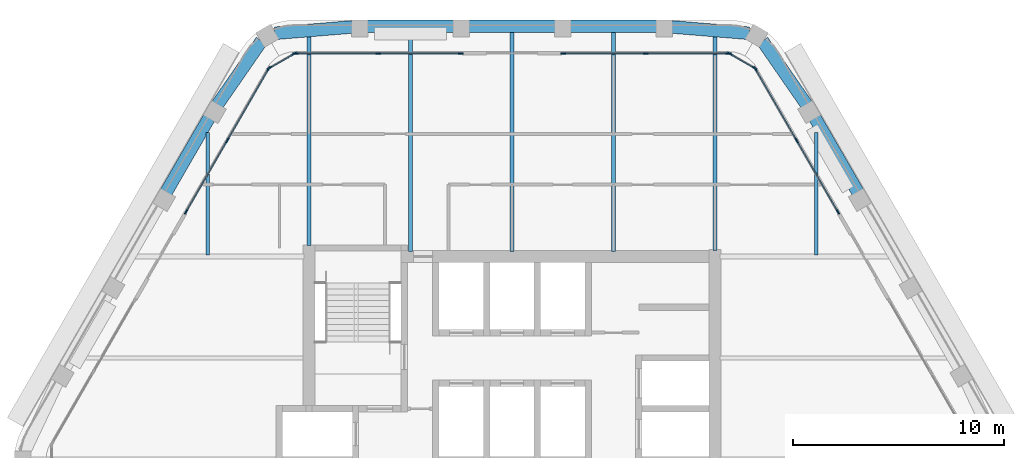
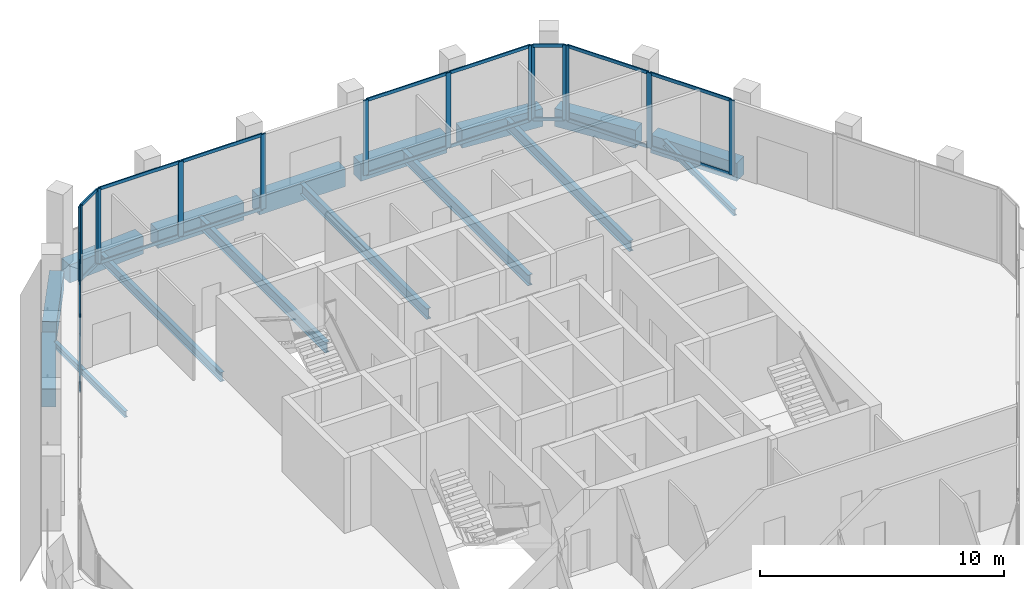
# One storey, part 5 of 13: 36 members, 16 beams, 6 elements without a shape of their own.
"""IFC4 building model written with IfcOpenShell, lengths in metres."""

import ifcopenshell
import ifcopenshell.guid

model = None  # the IFC model being written
_history = None  # IfcOwnerHistory: only IFC2X3 demands one
_inside = {}  # id of a spatial element -> (the spatial element, [elements in it])
_under = {}  # id of a project, library or spatial element -> (it, [spatial elements below it])
_declared = {}  # id of a project -> (the project, [libraries it declares])
_typed = {}  # id of a type object -> (the type object, [elements of that type])
_made_of = {}  # id of a material, layer set ... -> (it, [elements and type objects made of it])


def new_model(schema):
    """Start an empty IFC model of exactly this schema.

    Asked for "IFC4X3", IfcOpenShell would pick the latest addendum, in which some entities
    have other attributes; the version numbers below select the first issue.
    IFC2X3 requires an IfcOwnerHistory on every rooted entity: one is made here for all.
    """
    global model, _history
    if schema == "IFC4X3":
        model = ifcopenshell.file(schema_version=(4, 3, 0, 0))
    else:
        model = ifcopenshell.file(schema=schema)
    _inside.clear()
    _under.clear()
    _declared.clear()
    _typed.clear()
    _made_of.clear()
    _history = None
    if model.schema == "IFC2X3":
        org = make("IfcOrganization", Name="unknown")
        user = make(
            "IfcPersonAndOrganization",
            ThePerson=make("IfcPerson", FamilyName="unknown"),
            TheOrganization=org,
        )
        app = make(
            "IfcApplication",
            ApplicationDeveloper=org,
            Version="unknown",
            ApplicationFullName="unknown",
            ApplicationIdentifier="unknown",
        )
        _history = make(
            "IfcOwnerHistory",
            OwningUser=user,
            OwningApplication=app,
            ChangeAction="ADDED",
            CreationDate=0,
        )
    return model


def make(cls, **values):
    """One entity of the class cls with the attributes given. An attribute that is None is left unset."""
    return model.create_entity(
        cls, **{name: value for name, value in values.items() if value is not None}
    )


def rooted(cls, **values):
    """An entity with a GlobalId (a new one), such as an element, a storey or a relation."""
    return make(cls, GlobalId=ifcopenshell.guid.new(), OwnerHistory=_history, **values)


def si_unit(unit_type, name, prefix=None):
    """IfcSIUnit, for example si_unit("LENGTHUNIT", "METRE", prefix="MILLI")."""
    return make("IfcSIUnit", UnitType=unit_type, Prefix=prefix, Name=name)


def assignment(units):
    """IfcUnitAssignment: the units of a project."""
    return None if units is None else make("IfcUnitAssignment", Units=units)


def point(xyz):
    """IfcCartesianPoint."""
    return None if xyz is None else make("IfcCartesianPoint", Coordinates=xyz)


def direction(xyz):
    """IfcDirection."""
    return None if xyz is None else make("IfcDirection", DirectionRatios=xyz)


def frame(location, z_axis=None, x_axis=None):
    """IfcAxis2Placement3D, a coordinate frame: its origin and axes. An axis left out is left unset."""
    return make(
        "IfcAxis2Placement3D",
        Location=point(location),
        Axis=direction(z_axis),
        RefDirection=direction(x_axis),
    )


def frame_2d(location, x_axis=None):
    """IfcAxis2Placement2D, a coordinate frame in the plane: its origin and x axis."""
    return make(
        "IfcAxis2Placement2D", Location=point(location), RefDirection=direction(x_axis)
    )


def origin():
    """The frame at (0, 0, 0) with its axes left unset."""
    return frame((0.0, 0.0, 0.0))


def origin_2d():
    """The frame at (0, 0) in the plane with its x axis left unset."""
    return frame_2d((0.0, 0.0))


def place(relative_to, where):
    """IfcLocalPlacement: puts the frame where relative to a parent placement (None: the world)."""
    return make(
        "IfcLocalPlacement", PlacementRelTo=relative_to, RelativePlacement=where
    )


def context(
    kind, dimensions, precision=None, world=None, true_north=None, identifier=None
):
    """IfcGeometricRepresentationContext, for example the 3D "Model" context."""
    return make(
        "IfcGeometricRepresentationContext",
        ContextIdentifier=identifier,
        ContextType=kind,
        CoordinateSpaceDimension=dimensions,
        Precision=precision,
        WorldCoordinateSystem=world,
        TrueNorth=true_north,
    )


def subcontext(parent, identifier, kind, view, scale=None):
    """IfcGeometricRepresentationSubContext, for example "Body" below "Model"."""
    return make(
        "IfcGeometricRepresentationSubContext",
        ContextIdentifier=identifier,
        ContextType=kind,
        ParentContext=parent,
        TargetScale=scale,
        TargetView=view,
    )


def project(units=None, contexts=None):
    """IfcProject with its units and contexts."""
    return rooted(
        "IfcProject",
        Name="project",
        RepresentationContexts=contexts,
        UnitsInContext=assignment(units),
    )


def spatial(cls, under=None, at=None, **own):
    """A site, building, storey or space (cls), placed at a placement, below another one or the project."""
    s = rooted(cls, ObjectPlacement=at, **own)
    if under is not None:
        _under.setdefault(under.id(), (under, []))[1].append(s)
    return s


def profile(cls, at=None, kind="AREA", **sizes):
    """A parametric profile (cls). Its sizes go by their IFC names, for example OverallWidth=200.0."""
    return make(cls, ProfileType=kind, Position=at, **sizes)


def rectangle(**sizes):
    """IfcRectangleProfileDef."""
    return profile("IfcRectangleProfileDef", **sizes)


def i_section(**sizes):
    """IfcIShapeProfileDef."""
    return profile("IfcIShapeProfileDef", **sizes)


def extrude(swept, where, along, depth):
    """IfcExtrudedAreaSolid: the profile swept, set in the frame where, extruded along a direction by depth."""
    return make(
        "IfcExtrudedAreaSolid",
        SweptArea=swept,
        Position=where,
        ExtrudedDirection=direction(along),
        Depth=depth,
    )


def shape(context_of_items, identifier, shape_type, items):
    """IfcShapeRepresentation: the items that make up one representation, for example the "Body"."""
    return make(
        "IfcShapeRepresentation",
        ContextOfItems=context_of_items,
        RepresentationIdentifier=identifier,
        RepresentationType=shape_type,
        Items=items,
    )


def material(Name=None, Category=None):
    """IfcMaterial."""
    return make("IfcMaterial", Name=Name, Category=Category)


def material_profile(
    of_material, cross_section, Name=None, Category=None, Priority=None
):
    """IfcMaterialProfile: a cross section and its material."""
    return make(
        "IfcMaterialProfile",
        Name=Name,
        Material=of_material,
        Profile=cross_section,
        Priority=Priority,
        Category=Category,
    )


def profile_set(profiles, Name=None, composite=None):
    """IfcMaterialProfileSet."""
    return make(
        "IfcMaterialProfileSet",
        Name=Name,
        MaterialProfiles=profiles,
        CompositeProfile=composite,
    )


def made_of(thing, what):
    """Note that an element or type object is made of a material, layer set ...; save() writes the relation."""
    if what is not None:
        _made_of.setdefault(what.id(), (what, []))[1].append(thing)
    return thing


def type_object(cls, material=None, **own):
    """A type object (cls), such as IfcWallType, which elements share."""
    return made_of(rooted(cls, **own), material)


def element(
    cls,
    number,
    at=None,
    inside=None,
    cuts=None,
    type_object=None,
    material=None,
    context=None,
    identifier="Body",
    shape_type=None,
    held_by="IfcProductDefinitionShape",
    body=None,
    shapes=None,
    **own,
):
    """One element of the class cls, such as IfcWall. Its Tag is "e" and its number.

    at: its placement. inside: the storey or other place that contains it. cuts: it is an
    opening in that element (IfcRelVoidsElement). A single representation is given by context,
    identifier, shape_type and body (its items); several are given by shapes. held_by: the class
    of the entity that holds the representations. save() writes the other relations.
    """
    e = rooted(cls, Tag="e%d" % number, ObjectPlacement=at, **own)
    if body is not None:
        shapes = [shape(context, identifier, shape_type, body)]
    if shapes is not None:
        e.Representation = make(held_by, Representations=shapes)
    if inside is not None:
        _inside.setdefault(inside.id(), (inside, []))[1].append(e)
    if cuts is not None:
        rooted(
            "IfcRelVoidsElement", RelatingBuildingElement=cuts, RelatedOpeningElement=e
        )
    if type_object is not None:
        _typed.setdefault(type_object.id(), (type_object, []))[1].append(e)
    return made_of(e, material)


def aggregate(whole, parts):
    """IfcRelAggregates: a whole, such as a stair, and the parts it consists of."""
    return rooted("IfcRelAggregates", RelatingObject=whole, RelatedObjects=parts)


def save(model, path):
    """Write the relations noted so far, then the file.

    IfcRelAggregates (storeys below a building ...), IfcRelContainedInSpatialStructure (elements
    in a storey), IfcRelDefinesByType, IfcRelAssociatesMaterial and IfcRelDeclares: one each for
    every whole, place, type object, material and project.
    """
    for whole, parts in _under.values():
        aggregate(whole, parts)
    for where, things in _inside.values():
        rooted(
            "IfcRelContainedInSpatialStructure",
            RelatedElements=things,
            RelatingStructure=where,
        )
    for kind, things in _typed.values():
        rooted("IfcRelDefinesByType", RelatedObjects=things, RelatingType=kind)
    for what, things in _made_of.values():
        rooted("IfcRelAssociatesMaterial", RelatedObjects=things, RelatingMaterial=what)
    for by, libraries in _declared.values():
        rooted("IfcRelDeclares", RelatingContext=by, RelatedDefinitions=libraries)
    model.write(path)


model = new_model("IFC4")

# Units and contexts
model_context = context("Model", 3, precision=1e-05, world=origin(), true_north=direction((0.0, 1.0)))
body_context = subcontext(model_context, "Body", "Model", "MODEL_VIEW")
ifc_project = project(units=[si_unit("LENGTHUNIT", "METRE"), si_unit("AREAUNIT", "SQUARE_METRE"), si_unit("VOLUMEUNIT", "CUBIC_METRE"), si_unit("PLANEANGLEUNIT", "RADIAN"), si_unit("MASSUNIT", "GRAM", prefix="KILO")], contexts=[model_context])

# Site, building, storey
site_placement = place(None, origin())
site = spatial("IfcSite", under=ifc_project, at=site_placement, CompositionType="ELEMENT")
building_placement = place(site_placement, origin())
building = spatial("IfcBuilding", under=site, at=building_placement, Name="Kolab Exchange Tower", CompositionType="ELEMENT")
storey_placement = place(building_placement, frame((0.0, 0.0, 289.10009765625)))
storey = spatial("IfcBuildingStorey", under=building, at=storey_placement, Name="L65", CompositionType="ELEMENT", Elevation=289.10009765625)

# Beams
ifc_material_1 = material(Name="Steel S355", Category="steel")
ifc_material_profile_1 = material_profile(ifc_material_1, i_section(OverallWidth=0.1650390625, OverallDepth=0.31005859375, WebThickness=0.005859375, FlangeThickness=0.009765625, at=origin_2d()), Name="W310X39")
ifc_profile_set_1 = profile_set([ifc_material_profile_1], Name="Steel S355")
beam_type_1 = type_object("IfcBeamType", Name="FLOOR BEAM W310X39", PredefinedType="BEAM", material=ifc_profile_set_1)
for number, where, z_axis, x_axis, name in (
    (1, (-14.39990234375, 9.674072265625, -0.30517578125), (0.0, 1.0, 0.0), (-1.0, 0.0, 0.0), "beam/L65/fr/004"),
    (2, (14.39990234375, 9.674072265625, -0.30517578125), (0.0, 1.0, 0.0), (-1.0, 0.0, 0.0), "beam/L65/fr/019"),
):
    element("IfcBeam", number, at=place(storey_placement, frame(where, z_axis=z_axis, x_axis=x_axis)), inside=storey, type_object=beam_type_1, Name=name, PredefinedType="BEAM", context=body_context, shape_type="SweptSolid", body=[
        extrude(i_section(OverallWidth=0.1650390625, OverallDepth=0.31005859375, WebThickness=0.005859375, FlangeThickness=0.009765625, at=origin_2d()), origin(), (0.0, 0.0, 1.0), 5.793701171875),
    ])
ifc_material_profile_2 = material_profile(ifc_material_1, i_section(OverallWidth=0.18994140625, OverallDepth=0.45703125, WebThickness=0.009033203125, FlangeThickness=0.014404296875, at=origin_2d()), Name="W460X74")
ifc_profile_set_2 = profile_set([ifc_material_profile_2], Name="Steel S355")
beam_type_2 = type_object("IfcBeamType", Name="FLOOR BEAM W460X74", PredefinedType="BEAM", material=ifc_profile_set_2)
beam_1_placement = place(storey_placement, frame((-9.60009765625, 10.110107421875, -0.378662109375), z_axis=(0.0, 1.0, 0.0), x_axis=(-1.0, 0.0, 0.0)))
element("IfcBeam", 3, at=beam_1_placement, inside=storey, type_object=beam_type_2, Name="beam/L65/fr/006", PredefinedType="BEAM", context=body_context, shape_type="SweptSolid", body=[
    extrude(i_section(OverallWidth=0.18994140625, OverallDepth=0.45703125, WebThickness=0.009033203125, FlangeThickness=0.014404296875, at=origin_2d()), origin(), (0.0, 0.0, 1.0), 9.9169921875),
])
ifc_material_profile_3 = material_profile(ifc_material_1, i_section(OverallWidth=0.208984375, OverallDepth=0.532958984375, WebThickness=0.01025390625, FlangeThickness=0.015625, at=origin_2d()), Name="W530X92")
ifc_profile_set_3 = profile_set([ifc_material_profile_3], Name="Steel S355")
beam_type_3 = type_object("IfcBeamType", Name="FLOOR BEAM W530X92", PredefinedType="BEAM", material=ifc_profile_set_3)
for number, where, z_axis, x_axis, name in (
    (4, (-4.800048828125, 9.8349609375, -0.41650390625), (0.0, 1.0, 0.0), (-1.0, 0.0, 0.0), "beam/L65/fr/008"),
    (5, (0.0, 9.8349609375, -0.41650390625), (0.0, 1.0, 0.0), (-1.0, 0.0, 0.0), "beam/L65/fr/010"),
    (6, (4.800048828125, 9.8349609375, -0.41650390625), (0.0, 1.0, 0.0), (-1.0, 0.0, 0.0), "beam/L65/fr/012"),
):
    element("IfcBeam", number, at=place(storey_placement, frame(where, z_axis=z_axis, x_axis=x_axis)), inside=storey, type_object=beam_type_3, Name=name, PredefinedType="BEAM", context=body_context, shape_type="SweptSolid", body=[
        extrude(i_section(OverallWidth=0.208984375, OverallDepth=0.532958984375, WebThickness=0.01025390625, FlangeThickness=0.015625, at=origin_2d()), origin(), (0.0, 0.0, 1.0), 10.3896484375),
    ])
beam_2_placement = place(storey_placement, frame((9.60009765625, 9.885009765625, -0.41650390625), z_axis=(0.0, 1.0, 0.0), x_axis=(-1.0, 0.0, 0.0)))
element("IfcBeam", 7, at=beam_2_placement, inside=storey, type_object=beam_type_3, Name="beam/L65/fr/014", PredefinedType="BEAM", context=body_context, shape_type="SweptSolid", body=[
    extrude(i_section(OverallWidth=0.208984375, OverallDepth=0.532958984375, WebThickness=0.01025390625, FlangeThickness=0.015625, at=origin_2d()), origin(), (0.0, 0.0, 1.0), 10.14208984375),
])
ifc_material_2 = material(Name="Concrete C50/60", Category="concrete")
ifc_material_profile_4 = material_profile(ifc_material_2, rectangle(XDim=0.60009765625, YDim=0.89990234375, at=origin_2d()), Name="RC600X900")
ifc_profile_set_4 = profile_set([ifc_material_profile_4], Name="Concrete C50/60")
beam_type_4 = type_object("IfcBeamType", Name="SPANDREL BEAM 600X900 C50/60", PredefinedType="BEAM", material=ifc_profile_set_4)
beam_3_placement = place(storey_placement, frame((-11.216796875, 20.15576171875, -0.60009765625), z_axis=(0.996666751878, 0.081580547323, 0.0), x_axis=(-0.081580547323, 0.996666751878, 0.0)))
element("IfcBeam", 8, at=beam_3_placement, inside=storey, type_object=beam_type_4, Name="beam/L65/sp/F1-01", PredefinedType="BEAM", context=body_context, shape_type="SweptSolid", body=[
    extrude(rectangle(XDim=0.60009765625, YDim=0.89990234375, at=origin_2d()), origin(), (0.0, 0.0, 1.0), 3.6689453125),
])
for number, where, z_axis, x_axis, name in (
    (9, (-6.840087890625, 20.484619140625, -0.60009765625), (1.0, 0.0, 0.0), (0.0, 1.0, 0.0), "beam/L65/sp/F1-02"),
    (10, (-2.0400390625, 20.484619140625, -0.60009765625), (1.0, 0.0, 0.0), (0.0, 1.0, 0.0), "beam/L65/sp/F1-03"),
    (11, (2.760009765625, 20.484619140625, -0.60009765625), (1.0, 0.0, 0.0), (0.0, 1.0, 0.0), "beam/L65/sp/F1-04"),
):
    element("IfcBeam", number, at=place(storey_placement, frame(where, z_axis=z_axis, x_axis=x_axis)), inside=storey, type_object=beam_type_4, Name=name, PredefinedType="BEAM", context=body_context, shape_type="SweptSolid", body=[
        extrude(rectangle(XDim=0.60009765625, YDim=0.89990234375, at=origin_2d()), origin(), (0.0, 0.0, 1.0), 4.080078125),
    ])
for number, where, z_axis, x_axis, name in (
    (12, (7.56005859375, 20.455078125, -0.60009765625), (0.996666751878, -0.081580547323, 0.0), (0.081580547323, 0.996666751878, 0.0), "beam/L65/sp/F1-05"),
    (13, (11.846923828125, 19.7919921875, -0.60009765625), (0.569005808573, -0.822333502789, 0.0), (0.822333502789, 0.569005808573, 0.0), "beam/L65/sp/F2-01"),
):
    element("IfcBeam", number, at=place(storey_placement, frame(where, z_axis=z_axis, x_axis=x_axis)), inside=storey, type_object=beam_type_4, Name=name, PredefinedType="BEAM", context=body_context, shape_type="SweptSolid", body=[
        extrude(rectangle(XDim=0.60009765625, YDim=0.89990234375, at=origin_2d()), origin(), (0.0, 0.0, 1.0), 3.6689453125),
    ])
for number, where, z_axis, x_axis, name in (
    (14, (14.3203125, 16.166015625, -0.60009765625), (0.499955548806, -0.866051066172, 0.0), (0.866051066172, 0.499955548806, 0.0), "beam/L65/sp/F2-02"),
    (15, (-16.360107421875, 12.632568359375, -0.60009765625), (0.499955548806, 0.866051066172, 0.0), (-0.866051066172, 0.499955548806, 0.0), "beam/L65/sp/F6-04"),
):
    element("IfcBeam", number, at=place(storey_placement, frame(where, z_axis=z_axis, x_axis=x_axis)), inside=storey, type_object=beam_type_4, Name=name, PredefinedType="BEAM", context=body_context, shape_type="SweptSolid", body=[
        extrude(rectangle(XDim=0.60009765625, YDim=0.89990234375, at=origin_2d()), origin(), (0.0, 0.0, 1.0), 4.079833984375),
    ])
beam_4_placement = place(storey_placement, frame((-13.9345703125, 16.77490234375, -0.60009765625), z_axis=(0.569005808573, 0.822333502789, 0.0), x_axis=(-0.822333502789, 0.569005808573, 0.0)))
element("IfcBeam", 16, at=beam_4_placement, inside=storey, type_object=beam_type_4, Name="beam/L65/sp/F6-05", PredefinedType="BEAM", context=body_context, shape_type="SweptSolid", body=[
    extrude(rectangle(XDim=0.60009765625, YDim=0.89990234375, at=origin_2d()), origin(), (0.0, 0.0, 1.0), 3.6689453125),
])

# Curtain wall, members
ifc_material_3 = material(Name="Aluminium EN AW-6063 T6", Category="aluminium")
curtain_wall_type = type_object("IfcCurtainWallType", Name="UNITISED HIGH ZONE CURTAIN WALL", PredefinedType="NOTDEFINED", material=ifc_material_3)
curtain_wall_1_placement = place(storey_placement, origin())
curtain_wall_1 = element("IfcCurtainWall", 17, at=curtain_wall_1_placement, inside=storey, type_object=curtain_wall_type, Name="cw/L65/F1-1", PredefinedType="NOTDEFINED")
ifc_material_profile_5 = material_profile(ifc_material_3, rectangle(XDim=0.06005859375, YDim=0.239990234375, at=origin_2d()), Name="RECT 60X240")
ifc_profile_set_5 = profile_set([ifc_material_profile_5], Name="Aluminium EN AW-6063 T6")
member_type_1 = type_object("IfcMemberType", Name="UNITISED HIGH ZONE MULLION 60 X 240", PredefinedType="MULLION", material=ifc_profile_set_5)
member_1_placement = place(storey_placement, frame((-10.238037109375, 19.20458984375, 0.0), z_axis=(0.0, 0.0, 1.0), x_axis=(0.0, 1.0, 0.0)))
member_1 = element("IfcMember", 18, at=member_1_placement, type_object=member_type_1, Name="CW4 mullion 1", PredefinedType="MULLION", context=body_context, shape_type="SweptSolid", body=[
    extrude(rectangle(XDim=0.06005859375, YDim=0.239990234375, at=origin_2d()), origin(), (0.0, 0.0, 1.0), 3.75),
])
member_2_placement = place(storey_placement, frame((-6.333984375, 19.20458984375, 0.0), z_axis=(0.0, 0.0, 1.0), x_axis=(0.0, 1.0, 0.0)))
member_2 = element("IfcMember", 19, at=member_2_placement, type_object=member_type_1, Name="CW4 mullion 2", PredefinedType="MULLION", context=body_context, shape_type="SweptSolid", body=[
    extrude(rectangle(XDim=0.06005859375, YDim=0.239990234375, at=origin_2d()), origin(), (0.0, 0.0, 1.0), 3.75),
])
member_3_placement = place(storey_placement, frame((-2.429931640625, 19.20458984375, 0.0), z_axis=(0.0, 0.0, 1.0), x_axis=(0.0, 1.0, 0.0)))
member_3 = element("IfcMember", 20, at=member_3_placement, type_object=member_type_1, Name="CW4 mullion 3", PredefinedType="MULLION", context=body_context, shape_type="SweptSolid", body=[
    extrude(rectangle(XDim=0.06005859375, YDim=0.239990234375, at=origin_2d()), origin(), (0.0, 0.0, 1.0), 3.75),
])

curtain_wall_2_placement = place(storey_placement, origin())
curtain_wall_2 = element("IfcCurtainWall", 21, at=curtain_wall_2_placement, inside=storey, type_object=curtain_wall_type, Name="cw/L65/F1-2", PredefinedType="NOTDEFINED")
member_4_placement = place(storey_placement, frame((2.429931640625, 19.20458984375, 0.0), z_axis=(0.0, 0.0, 1.0), x_axis=(0.0, 1.0, 0.0)))
member_4 = element("IfcMember", 22, at=member_4_placement, type_object=member_type_1, Name="CW4 mullion 1", PredefinedType="MULLION", context=body_context, shape_type="SweptSolid", body=[
    extrude(rectangle(XDim=0.06005859375, YDim=0.239990234375, at=origin_2d()), origin(), (0.0, 0.0, 1.0), 3.75),
])
member_5_placement = place(storey_placement, frame((6.333984375, 19.20458984375, 0.0), z_axis=(0.0, 0.0, 1.0), x_axis=(0.0, 1.0, 0.0)))
member_5 = element("IfcMember", 23, at=member_5_placement, type_object=member_type_1, Name="CW4 mullion 2", PredefinedType="MULLION", context=body_context, shape_type="SweptSolid", body=[
    extrude(rectangle(XDim=0.06005859375, YDim=0.239990234375, at=origin_2d()), origin(), (0.0, 0.0, 1.0), 3.75),
])
member_6_placement = place(storey_placement, frame((10.238037109375, 19.20458984375, 0.0), z_axis=(0.0, 0.0, 1.0), x_axis=(0.0, 1.0, 0.0)))
member_6 = element("IfcMember", 24, at=member_6_placement, type_object=member_type_1, Name="CW4 mullion 3", PredefinedType="MULLION", context=body_context, shape_type="SweptSolid", body=[
    extrude(rectangle(XDim=0.06005859375, YDim=0.239990234375, at=origin_2d()), origin(), (0.0, 0.0, 1.0), 3.75),
])

curtain_wall_3_placement = place(storey_placement, origin())
curtain_wall_3 = element("IfcCurtainWall", 25, at=curtain_wall_3_placement, inside=storey, type_object=curtain_wall_type, Name="cw/L65/F2-1", PredefinedType="NOTDEFINED")
member_7_placement = place(storey_placement, frame((11.5126953125, 18.46875, 0.0), z_axis=(0.0, 0.0, 1.0), x_axis=(0.866025385493, 0.500000031681, 0.0)))
member_7 = element("IfcMember", 26, at=member_7_placement, type_object=member_type_1, Name="CW4 mullion 1", PredefinedType="MULLION", context=body_context, shape_type="SweptSolid", body=[
    extrude(rectangle(XDim=0.06005859375, YDim=0.239990234375, at=origin_2d()), origin(), (0.0, 0.0, 1.0), 3.75),
])
member_8_placement = place(storey_placement, frame((13.464599609375, 15.087646484375, 0.0), z_axis=(0.0, 0.0, 1.0), x_axis=(0.866025385493, 0.500000031681, 0.0)))
member_8 = element("IfcMember", 27, at=member_8_placement, type_object=member_type_1, Name="CW4 mullion 2", PredefinedType="MULLION", context=body_context, shape_type="SweptSolid", body=[
    extrude(rectangle(XDim=0.06005859375, YDim=0.239990234375, at=origin_2d()), origin(), (0.0, 0.0, 1.0), 3.75),
])
member_9_placement = place(storey_placement, frame((15.416748046875, 11.706787109375, 0.0), z_axis=(0.0, 0.0, 1.0), x_axis=(0.866025385493, 0.500000031681, 0.0)))
member_9 = element("IfcMember", 28, at=member_9_placement, type_object=member_type_1, Name="CW4 mullion 3", PredefinedType="MULLION", context=body_context, shape_type="SweptSolid", body=[
    extrude(rectangle(XDim=0.06005859375, YDim=0.239990234375, at=origin_2d()), origin(), (0.0, 0.0, 1.0), 3.75),
])

curtain_wall_4_placement = place(storey_placement, origin())
curtain_wall_4 = element("IfcCurtainWall", 29, at=curtain_wall_4_placement, inside=storey, type_object=curtain_wall_type, Name="cw/L65/F6-2", PredefinedType="NOTDEFINED")
member_10_placement = place(storey_placement, frame((-15.416748046875, 11.706787109375, 0.0), z_axis=(0.0, 0.0, 1.0), x_axis=(-0.866025385493, 0.500000031681, 0.0)))
member_10 = element("IfcMember", 30, at=member_10_placement, type_object=member_type_1, Name="CW4 mullion 1", PredefinedType="MULLION", context=body_context, shape_type="SweptSolid", body=[
    extrude(rectangle(XDim=0.06005859375, YDim=0.239990234375, at=origin_2d()), origin(), (0.0, 0.0, 1.0), 3.75),
])
member_11_placement = place(storey_placement, frame((-13.464599609375, 15.087646484375, 0.0), z_axis=(0.0, 0.0, 1.0), x_axis=(-0.866025385493, 0.500000031681, 0.0)))
member_11 = element("IfcMember", 31, at=member_11_placement, type_object=member_type_1, Name="CW4 mullion 2", PredefinedType="MULLION", context=body_context, shape_type="SweptSolid", body=[
    extrude(rectangle(XDim=0.06005859375, YDim=0.239990234375, at=origin_2d()), origin(), (0.0, 0.0, 1.0), 3.75),
])
member_12_placement = place(storey_placement, frame((-11.5126953125, 18.46875, 0.0), z_axis=(0.0, 0.0, 1.0), x_axis=(-0.866025385493, 0.500000031681, 0.0)))
member_12 = element("IfcMember", 32, at=member_12_placement, type_object=member_type_1, Name="CW4 mullion 3", PredefinedType="MULLION", context=body_context, shape_type="SweptSolid", body=[
    extrude(rectangle(XDim=0.06005859375, YDim=0.239990234375, at=origin_2d()), origin(), (0.0, 0.0, 1.0), 3.75),
])

curtain_wall_5_placement = place(storey_placement, origin())
curtain_wall_5 = element("IfcCurtainWall", 33, at=curtain_wall_5_placement, inside=storey, type_object=curtain_wall_type, Name="cw/L65/F1F2-corner", PredefinedType="NOTDEFINED")
member_13_placement = place(storey_placement, frame((10.2939453125, 19.189697265625, 0.0), z_axis=(0.0, 0.0, 1.0), x_axis=(0.50000002237, 0.866025390869, 0.0)))
member_13 = element("IfcMember", 34, at=member_13_placement, type_object=member_type_1, Name="CW4 mullion 1", PredefinedType="MULLION", context=body_context, shape_type="SweptSolid", body=[
    extrude(rectangle(XDim=0.06005859375, YDim=0.239990234375, at=origin_2d()), origin(), (0.0, 0.0, 1.0), 3.75),
])
member_14_placement = place(storey_placement, frame((11.4716796875, 18.509521484375, 0.0), z_axis=(0.0, 0.0, 1.0), x_axis=(0.50000002237, 0.866025390869, 0.0)))
member_14 = element("IfcMember", 35, at=member_14_placement, type_object=member_type_1, Name="CW4 mullion 2", PredefinedType="MULLION", context=body_context, shape_type="SweptSolid", body=[
    extrude(rectangle(XDim=0.06005859375, YDim=0.239990234375, at=origin_2d()), origin(), (0.0, 0.0, 1.0), 3.75),
])

curtain_wall_6_placement = place(storey_placement, origin())
curtain_wall_6 = element("IfcCurtainWall", 36, at=curtain_wall_6_placement, inside=storey, type_object=curtain_wall_type, Name="cw/L65/F6F1-corner", PredefinedType="NOTDEFINED")
member_15_placement = place(storey_placement, frame((-11.4716796875, 18.509521484375, 0.0), z_axis=(0.0, 0.0, 1.0), x_axis=(-0.50000002237, 0.866025390869, 0.0)))
member_15 = element("IfcMember", 37, at=member_15_placement, type_object=member_type_1, Name="CW4 mullion 1", PredefinedType="MULLION", context=body_context, shape_type="SweptSolid", body=[
    extrude(rectangle(XDim=0.06005859375, YDim=0.239990234375, at=origin_2d()), origin(), (0.0, 0.0, 1.0), 3.75),
])
member_16_placement = place(storey_placement, frame((-10.2939453125, 19.189697265625, 0.0), z_axis=(0.0, 0.0, 1.0), x_axis=(-0.50000002237, 0.866025390869, 0.0)))
member_16 = element("IfcMember", 38, at=member_16_placement, type_object=member_type_1, Name="CW4 mullion 2", PredefinedType="MULLION", context=body_context, shape_type="SweptSolid", body=[
    extrude(rectangle(XDim=0.06005859375, YDim=0.239990234375, at=origin_2d()), origin(), (0.0, 0.0, 1.0), 3.75),
])

# Member
ifc_material_profile_6 = material_profile(ifc_material_3, rectangle(XDim=0.06005859375, YDim=0.159912109375, at=origin_2d()), Name="RECT 60X160")
ifc_profile_set_6 = profile_set([ifc_material_profile_6], Name="Aluminium EN AW-6063 T6")
member_type_2 = type_object("IfcMemberType", Name="UNITISED HIGH ZONE TRANSOM 60 X 160", PredefinedType="USERDEFINED", material=ifc_profile_set_6)
member_17_placement = place(storey_placement, frame((-10.2080078125, 19.20458984375, 0.02978515625), z_axis=(1.0, 0.0, 0.0), x_axis=(0.0, 1.0, 0.0)))
member_17 = element("IfcMember", 39, at=member_17_placement, type_object=member_type_2, Name="CW4 transom 1.1", ObjectType="TRANSOM", PredefinedType="USERDEFINED", context=body_context, shape_type="SweptSolid", body=[
    extrude(rectangle(XDim=0.06005859375, YDim=0.159912109375, at=origin_2d()), origin(), (0.0, 0.0, 1.0), 3.843994140625),
])

member_18_placement = place(storey_placement, frame((-10.2080078125, 19.20458984375, 3.719970703125), z_axis=(1.0, 0.0, 0.0), x_axis=(0.0, 1.0, 0.0)))
member_18 = element("IfcMember", 40, at=member_18_placement, type_object=member_type_2, Name="CW4 transom 1.2", ObjectType="TRANSOM", PredefinedType="USERDEFINED", context=body_context, shape_type="SweptSolid", body=[
    extrude(rectangle(XDim=0.06005859375, YDim=0.159912109375, at=origin_2d()), origin(), (0.0, 0.0, 1.0), 3.843994140625),
])

member_19_placement = place(storey_placement, frame((-6.303955078125, 19.20458984375, 0.02978515625), z_axis=(1.0, 0.0, 0.0), x_axis=(0.0, 1.0, 0.0)))
member_19 = element("IfcMember", 41, at=member_19_placement, type_object=member_type_2, Name="CW4 transom 2.1", ObjectType="TRANSOM", PredefinedType="USERDEFINED", context=body_context, shape_type="SweptSolid", body=[
    extrude(rectangle(XDim=0.06005859375, YDim=0.159912109375, at=origin_2d()), origin(), (0.0, 0.0, 1.0), 3.843994140625),
])

member_20_placement = place(storey_placement, frame((-6.303955078125, 19.20458984375, 3.719970703125), z_axis=(1.0, 0.0, 0.0), x_axis=(0.0, 1.0, 0.0)))
member_20 = element("IfcMember", 42, at=member_20_placement, type_object=member_type_2, Name="CW4 transom 2.2", ObjectType="TRANSOM", PredefinedType="USERDEFINED", context=body_context, shape_type="SweptSolid", body=[
    extrude(rectangle(XDim=0.06005859375, YDim=0.159912109375, at=origin_2d()), origin(), (0.0, 0.0, 1.0), 3.843994140625),
])

aggregate(curtain_wall_1, [member_1, member_2, member_3, member_17, member_18, member_19, member_20])

member_21_placement = place(storey_placement, frame((2.4599609375, 19.20458984375, 0.02978515625), z_axis=(1.0, 0.0, 0.0), x_axis=(0.0, 1.0, 0.0)))
member_21 = element("IfcMember", 43, at=member_21_placement, type_object=member_type_2, Name="CW4 transom 1.1", ObjectType="TRANSOM", PredefinedType="USERDEFINED", context=body_context, shape_type="SweptSolid", body=[
    extrude(rectangle(XDim=0.06005859375, YDim=0.159912109375, at=origin_2d()), origin(), (0.0, 0.0, 1.0), 3.843994140625),
])

member_22_placement = place(storey_placement, frame((2.4599609375, 19.20458984375, 3.719970703125), z_axis=(1.0, 0.0, 0.0), x_axis=(0.0, 1.0, 0.0)))
member_22 = element("IfcMember", 44, at=member_22_placement, type_object=member_type_2, Name="CW4 transom 1.2", ObjectType="TRANSOM", PredefinedType="USERDEFINED", context=body_context, shape_type="SweptSolid", body=[
    extrude(rectangle(XDim=0.06005859375, YDim=0.159912109375, at=origin_2d()), origin(), (0.0, 0.0, 1.0), 3.843994140625),
])

member_23_placement = place(storey_placement, frame((6.364013671875, 19.20458984375, 0.02978515625), z_axis=(1.0, 0.0, 0.0), x_axis=(0.0, 1.0, 0.0)))
member_23 = element("IfcMember", 45, at=member_23_placement, type_object=member_type_2, Name="CW4 transom 2.1", ObjectType="TRANSOM", PredefinedType="USERDEFINED", context=body_context, shape_type="SweptSolid", body=[
    extrude(rectangle(XDim=0.06005859375, YDim=0.159912109375, at=origin_2d()), origin(), (0.0, 0.0, 1.0), 3.843994140625),
])

member_24_placement = place(storey_placement, frame((6.364013671875, 19.20458984375, 3.719970703125), z_axis=(1.0, 0.0, 0.0), x_axis=(0.0, 1.0, 0.0)))
member_24 = element("IfcMember", 46, at=member_24_placement, type_object=member_type_2, Name="CW4 transom 2.2", ObjectType="TRANSOM", PredefinedType="USERDEFINED", context=body_context, shape_type="SweptSolid", body=[
    extrude(rectangle(XDim=0.06005859375, YDim=0.159912109375, at=origin_2d()), origin(), (0.0, 0.0, 1.0), 3.843994140625),
])

aggregate(curtain_wall_2, [member_4, member_5, member_6, member_21, member_22, member_23, member_24])

member_25_placement = place(storey_placement, frame((11.527587890625, 18.442626953125, 0.02978515625), z_axis=(0.500039492609, -0.866002601515, 0.0), x_axis=(0.866002601515, 0.500039492609, 0.0)))
member_25 = element("IfcMember", 47, at=member_25_placement, type_object=member_type_2, Name="CW4 transom 1.1", ObjectType="TRANSOM", PredefinedType="USERDEFINED", context=body_context, shape_type="SweptSolid", body=[
    extrude(rectangle(XDim=0.06005859375, YDim=0.159912109375, at=origin_2d()), origin(), (0.0, 0.0, 1.0), 3.843994140625),
])

member_26_placement = place(storey_placement, frame((11.527587890625, 18.442626953125, 3.719970703125), z_axis=(0.500039492609, -0.866002601515, 0.0), x_axis=(0.866002601515, 0.500039492609, 0.0)))
member_26 = element("IfcMember", 48, at=member_26_placement, type_object=member_type_2, Name="CW4 transom 1.2", ObjectType="TRANSOM", PredefinedType="USERDEFINED", context=body_context, shape_type="SweptSolid", body=[
    extrude(rectangle(XDim=0.06005859375, YDim=0.159912109375, at=origin_2d()), origin(), (0.0, 0.0, 1.0), 3.843994140625),
])

member_27_placement = place(storey_placement, frame((13.479736328125, 15.061767578125, 0.02978515625), z_axis=(0.499964356602, -0.866045981532, 0.0), x_axis=(0.866045981532, 0.499964356602, 0.0)))
member_27 = element("IfcMember", 49, at=member_27_placement, type_object=member_type_2, Name="CW4 transom 2.1", ObjectType="TRANSOM", PredefinedType="USERDEFINED", context=body_context, shape_type="SweptSolid", body=[
    extrude(rectangle(XDim=0.06005859375, YDim=0.159912109375, at=origin_2d()), origin(), (0.0, 0.0, 1.0), 3.843994140625),
])

member_28_placement = place(storey_placement, frame((13.479736328125, 15.061767578125, 3.719970703125), z_axis=(0.499964356602, -0.866045981532, 0.0), x_axis=(0.866045981532, 0.499964356602, 0.0)))
member_28 = element("IfcMember", 50, at=member_28_placement, type_object=member_type_2, Name="CW4 transom 2.2", ObjectType="TRANSOM", PredefinedType="USERDEFINED", context=body_context, shape_type="SweptSolid", body=[
    extrude(rectangle(XDim=0.06005859375, YDim=0.159912109375, at=origin_2d()), origin(), (0.0, 0.0, 1.0), 3.843994140625),
])

aggregate(curtain_wall_3, [member_7, member_8, member_9, member_25, member_26, member_27, member_28])

member_29_placement = place(storey_placement, frame((-15.401611328125, 11.732666015625, 0.02978515625), z_axis=(0.499964356602, 0.866045981532, 0.0), x_axis=(-0.866045981532, 0.499964356602, 0.0)))
member_29 = element("IfcMember", 51, at=member_29_placement, type_object=member_type_2, Name="CW4 transom 1.1", ObjectType="TRANSOM", PredefinedType="USERDEFINED", context=body_context, shape_type="SweptSolid", body=[
    extrude(rectangle(XDim=0.06005859375, YDim=0.159912109375, at=origin_2d()), origin(), (0.0, 0.0, 1.0), 3.843994140625),
])

member_30_placement = place(storey_placement, frame((-15.401611328125, 11.732666015625, 3.719970703125), z_axis=(0.499964356602, 0.866045981532, 0.0), x_axis=(-0.866045981532, 0.499964356602, 0.0)))
member_30 = element("IfcMember", 52, at=member_30_placement, type_object=member_type_2, Name="CW4 transom 1.2", ObjectType="TRANSOM", PredefinedType="USERDEFINED", context=body_context, shape_type="SweptSolid", body=[
    extrude(rectangle(XDim=0.06005859375, YDim=0.159912109375, at=origin_2d()), origin(), (0.0, 0.0, 1.0), 3.843994140625),
])

member_31_placement = place(storey_placement, frame((-13.44970703125, 15.11376953125, 0.02978515625), z_axis=(0.500039492609, 0.866002601515, 0.0), x_axis=(-0.866002601515, 0.500039492609, 0.0)))
member_31 = element("IfcMember", 53, at=member_31_placement, type_object=member_type_2, Name="CW4 transom 2.1", ObjectType="TRANSOM", PredefinedType="USERDEFINED", context=body_context, shape_type="SweptSolid", body=[
    extrude(rectangle(XDim=0.06005859375, YDim=0.159912109375, at=origin_2d()), origin(), (0.0, 0.0, 1.0), 3.843994140625),
])

member_32_placement = place(storey_placement, frame((-13.44970703125, 15.11376953125, 3.719970703125), z_axis=(0.500039492609, 0.866002601515, 0.0), x_axis=(-0.866002601515, 0.500039492609, 0.0)))
member_32 = element("IfcMember", 54, at=member_32_placement, type_object=member_type_2, Name="CW4 transom 2.2", ObjectType="TRANSOM", PredefinedType="USERDEFINED", context=body_context, shape_type="SweptSolid", body=[
    extrude(rectangle(XDim=0.06005859375, YDim=0.159912109375, at=origin_2d()), origin(), (0.0, 0.0, 1.0), 3.843994140625),
])

aggregate(curtain_wall_4, [member_10, member_11, member_12, member_29, member_30, member_31, member_32])

member_33_placement = place(storey_placement, frame((10.31982421875, 19.174560546875, 0.02978515625), z_axis=(0.866085525409, -0.49989585183, 0.0), x_axis=(0.49989585183, 0.866085525409, 0.0)))
member_33 = element("IfcMember", 55, at=member_33_placement, type_object=member_type_2, Name="CW4 transom 1.1", ObjectType="TRANSOM", PredefinedType="USERDEFINED", context=body_context, shape_type="SweptSolid", body=[
    extrude(rectangle(XDim=0.06005859375, YDim=0.159912109375, at=origin_2d()), origin(), (0.0, 0.0, 1.0), 1.300048828125),
])

member_34_placement = place(storey_placement, frame((10.31982421875, 19.174560546875, 3.719970703125), z_axis=(0.866085525409, -0.49989585183, 0.0), x_axis=(0.49989585183, 0.866085525409, 0.0)))
member_34 = element("IfcMember", 56, at=member_34_placement, type_object=member_type_2, Name="CW4 transom 1.2", ObjectType="TRANSOM", PredefinedType="USERDEFINED", context=body_context, shape_type="SweptSolid", body=[
    extrude(rectangle(XDim=0.06005859375, YDim=0.159912109375, at=origin_2d()), origin(), (0.0, 0.0, 1.0), 1.300048828125),
])

aggregate(curtain_wall_5, [member_13, member_14, member_33, member_34])

member_35_placement = place(storey_placement, frame((-11.44580078125, 18.524658203125, 0.02978515625), z_axis=(0.866085525409, 0.49989585183, 0.0), x_axis=(-0.49989585183, 0.866085525409, 0.0)))
member_35 = element("IfcMember", 57, at=member_35_placement, type_object=member_type_2, Name="CW4 transom 1.1", ObjectType="TRANSOM", PredefinedType="USERDEFINED", context=body_context, shape_type="SweptSolid", body=[
    extrude(rectangle(XDim=0.06005859375, YDim=0.159912109375, at=origin_2d()), origin(), (0.0, 0.0, 1.0), 1.300048828125),
])

member_36_placement = place(storey_placement, frame((-11.44580078125, 18.524658203125, 3.719970703125), z_axis=(0.866085525409, 0.49989585183, 0.0), x_axis=(-0.49989585183, 0.866085525409, 0.0)))
member_36 = element("IfcMember", 58, at=member_36_placement, type_object=member_type_2, Name="CW4 transom 1.2", ObjectType="TRANSOM", PredefinedType="USERDEFINED", context=body_context, shape_type="SweptSolid", body=[
    extrude(rectangle(XDim=0.06005859375, YDim=0.159912109375, at=origin_2d()), origin(), (0.0, 0.0, 1.0), 1.300048828125),
])

aggregate(curtain_wall_6, [member_15, member_16, member_35, member_36])

save(model, "model.ifc")
